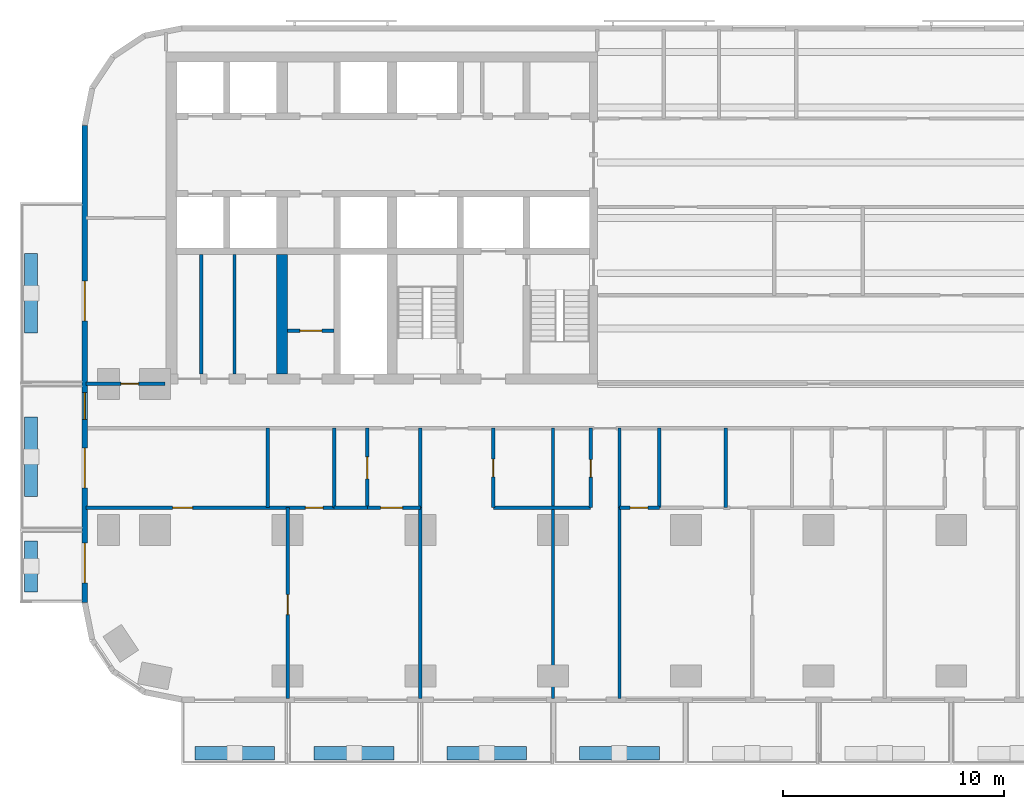
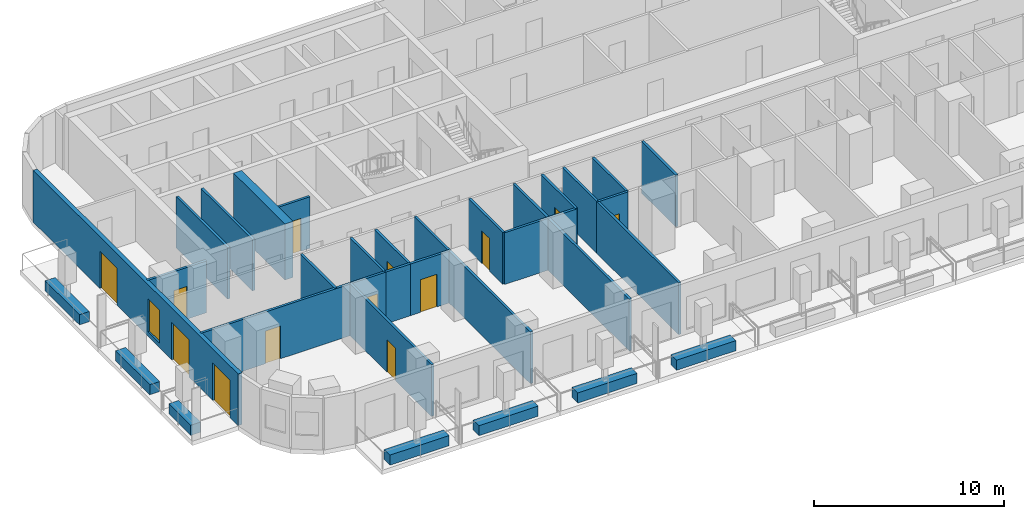
# One storey, part 2 of 15: 31 walls, 13 doors, 1 window, 14 openings.
"""IFC4 building model written with IfcOpenShell, lengths in metres."""

from ifc_helpers import new_model, si_unit, direction, frame, frame_2d, origin, place, context, subcontext, project, spatial, rectangle, extrude, material, layer, layer_set, type_object, element, fill, save


model = new_model("IFC4")

# Units and contexts
model_context = context("Model", 3, precision=1e-05, world=origin(), true_north=direction((0.0, 1.0)))
body_context = subcontext(model_context, "Body", "Model", "MODEL_VIEW")
ifc_project = project(units=[si_unit("LENGTHUNIT", "METRE"), si_unit("AREAUNIT", "SQUARE_METRE"), si_unit("VOLUMEUNIT", "CUBIC_METRE"), si_unit("PLANEANGLEUNIT", "RADIAN"), si_unit("MASSUNIT", "GRAM", prefix="KILO")], contexts=[model_context])

# Site, building, storey
site_placement = place(None, origin())
site = spatial("IfcSite", under=ifc_project, at=site_placement, CompositionType="ELEMENT")
building_placement = place(site_placement, origin())
building = spatial("IfcBuilding", under=site, at=building_placement, Name="Torana Hotel and Residences", CompositionType="ELEMENT")
storey_placement = place(building_placement, frame((0.0, 0.0, 88.800048828125)))
storey = spatial("IfcBuildingStorey", under=building, at=storey_placement, Name="L22", CompositionType="ELEMENT", Elevation=88.800048828125)

# Wall
ifc_material_1 = material(Name="Concrete C80/95", Category="concrete")
ifc_layer_1 = layer(ifc_material_1, 0.5)
ifc_layer_set_1 = layer_set([ifc_layer_1], Name="CORE WALL 500 C80/95")
wall_type_1 = type_object("IfcWallType", Name="CORE WALL 500 C80/95", PredefinedType="SHEAR", material=ifc_layer_set_1)
wall_1_placement = place(storey_placement, frame((-24.25, -14.550048828125, 0.0), z_axis=(0.0, 0.0, 1.0), x_axis=(0.0, 1.0, 0.0)))
element("IfcWall", 1, at=wall_1_placement, inside=storey, type_object=wall_type_1, Name="Core wall W ml-band", PredefinedType="SHEAR", context=body_context, shape_type="SweptSolid", body=[
    extrude(rectangle(XDim=5.400146484375, YDim=0.5, at=frame_2d((2.7001953125, 0.0))), origin(), (0.0, 0.0, 1.0), 3.599853515625),
])

# Wall, openings, doors, window
ifc_material_2 = material(Name="Black aluminium composite panel", Category="aluminium")
ifc_layer_2 = layer(ifc_material_2, 0.00390625, Name="Cladding", Category="cladding")
ifc_material_3 = material(Name="Ventilated air cavity")
ifc_layer_3 = layer(ifc_material_3, 0.0400390625, Name="Ventilated cavity", Category="cavity")
ifc_material_4 = material(Name="Mineral wool insulation")
ifc_layer_4 = layer(ifc_material_4, 0.090087890625, Name="Insulation", Category="insulation")
ifc_material_5 = material(Name="Steel S280GD", Category="steel")
ifc_layer_5 = layer(ifc_material_5, 0.092041015625, Name="Steel stud frame", Category="structure")
ifc_material_6 = material(Name="Fire rated plasterboard")
ifc_layer_6 = layer(ifc_material_6, 0.011962890625, Name="Inner board", Category="finish")
ifc_layer_7 = layer(ifc_material_6, 0.011962890625, Name="Second board", Category="finish")
ifc_layer_set_2 = layer_set([ifc_layer_2, ifc_layer_3, ifc_layer_4, ifc_layer_5, ifc_layer_6, ifc_layer_7], Name="EW1 EXTERNAL WALL BLACK METAL CLAD 250")
wall_type_2 = type_object("IfcWallType", Name="EW1 EXTERNAL WALL BLACK METAL CLAD 250", PredefinedType="SOLIDWALL", material=ifc_layer_set_2)
wall_2_placement = place(storey_placement, frame((-33.175048828125, -3.32470703125, 0.0), z_axis=(0.0, 0.0, 1.0), x_axis=(0.0, -1.0, 0.0)))
wall_2 = element("IfcWall", 2, at=wall_2_placement, inside=storey, type_object=wall_type_2, Name="External wall L22 e0.9", PredefinedType="SOLIDWALL", context=body_context, shape_type="SweptSolid", body=[
    extrude(rectangle(XDim=21.55078125, YDim=0.25, at=frame_2d((10.775390625, 0.0))), origin(), (0.0, 0.0, 1.0), 3.320068359375),
])
opening_1_placement = place(wall_2_placement, frame((7.025390625, 0.0, 0.0)))
opening_1 = element("IfcOpeningElement", 3, at=opening_1_placement, cuts=wall_2, Name="Opening L22-E14", PredefinedType="OPENING", context=body_context, shape_type="SweptSolid", body=[
    extrude(rectangle(XDim=1.800048828125, YDim=2.39990234375, at=frame_2d((0.89990234375, 1.199951171875))), frame((0.0, 0.135009765625, 0.0), z_axis=(0.0, -1.0, 0.0), x_axis=(1.0, 0.0, 0.0)), (0.0, 0.0, 1.0), 0.27001953125),
])
opening_2_placement = place(wall_2_placement, frame((12.075439453125, 0.0, 0.300048828125)))
opening_2 = element("IfcOpeningElement", 4, at=opening_2_placement, cuts=wall_2, Name="Opening W7", PredefinedType="OPENING", context=body_context, shape_type="SweptSolid", body=[
    extrude(rectangle(XDim=1.199951171875, YDim=2.10009765625, at=frame_2d((0.60009765625, 1.050048828125))), frame((0.0, 0.135009765625, 0.0), z_axis=(0.0, -1.0, 0.0), x_axis=(1.0, 0.0, 0.0)), (0.0, 0.0, 1.0), 0.27001953125),
])
opening_3_placement = place(wall_2_placement, frame((14.575439453125, 0.0, 0.0)))
opening_3 = element("IfcOpeningElement", 5, at=opening_3_placement, cuts=wall_2, Name="Opening L22-E15", PredefinedType="OPENING", context=body_context, shape_type="SweptSolid", body=[
    extrude(rectangle(XDim=1.800048828125, YDim=2.39990234375, at=frame_2d((0.89990234375, 1.199951171875))), frame((0.0, 0.135009765625, 0.0), z_axis=(0.0, -1.0, 0.0), x_axis=(1.0, 0.0, 0.0)), (0.0, 0.0, 1.0), 0.27001953125),
])
opening_4_placement = place(wall_2_placement, frame((18.87548828125, 0.0, 0.0)))
opening_4 = element("IfcOpeningElement", 6, at=opening_4_placement, cuts=wall_2, Name="Opening L22-E16", PredefinedType="OPENING", context=body_context, shape_type="SweptSolid", body=[
    extrude(rectangle(XDim=1.800048828125, YDim=2.39990234375, at=frame_2d((0.89990234375, 1.199951171875))), frame((0.0, 0.135009765625, 0.0), z_axis=(0.0, -1.0, 0.0), x_axis=(1.0, 0.0, 0.0)), (0.0, 0.0, 1.0), 0.27001953125),
])
ifc_material_7 = material(Name="Dark glass in black aluminium frame", Category="aluminium")
door_type_1 = type_object("IfcDoorType", Name="DB1 BALCONY DOOR 1800x2400", OperationType="DOUBLE_DOOR_SINGLE_SWING", PredefinedType="DOOR", material=ifc_material_7)
door_1_placement = place(opening_1_placement, origin())
door_1 = element("IfcDoor", 7, at=door_1_placement, inside=storey, type_object=door_type_1, Name="Balcony door L22", OperationType="DOUBLE_DOOR_SINGLE_SWING", OverallHeight=2.39990234375, OverallWidth=1.800048828125, PredefinedType="DOOR", context=body_context, shape_type="SweptSolid", body=[
    extrude(rectangle(XDim=1.800048828125, YDim=2.39990234375, at=frame_2d((0.89990234375, 1.199951171875))), frame((0.0, 0.02490234375, 0.0), z_axis=(0.0, -1.0, 0.0), x_axis=(1.0, 0.0, 0.0)), (0.0, 0.0, 1.0), 0.050048828125),
])
fill(opening_1, door_1)
door_2_placement = place(opening_3_placement, origin())
door_2 = element("IfcDoor", 8, at=door_2_placement, inside=storey, type_object=door_type_1, Name="Balcony door L22", OperationType="DOUBLE_DOOR_SINGLE_SWING", OverallHeight=2.39990234375, OverallWidth=1.800048828125, PredefinedType="DOOR", context=body_context, shape_type="SweptSolid", body=[
    extrude(rectangle(XDim=1.800048828125, YDim=2.39990234375, at=frame_2d((0.89990234375, 1.199951171875))), frame((0.0, 0.02490234375, 0.0), z_axis=(0.0, -1.0, 0.0), x_axis=(1.0, 0.0, 0.0)), (0.0, 0.0, 1.0), 0.050048828125),
])
fill(opening_3, door_2)
door_3_placement = place(opening_4_placement, frame((0.89990234375, 0.0, 0.0), z_axis=(0.0, 0.0, 1.0), x_axis=(-1.0, 0.0, 0.0)))
door_3 = element("IfcDoor", 9, at=door_3_placement, inside=storey, type_object=door_type_1, Name="Balcony door L22", OperationType="DOUBLE_DOOR_SINGLE_SWING", OverallHeight=2.39990234375, OverallWidth=1.800048828125, PredefinedType="DOOR", context=body_context, shape_type="SweptSolid", body=[
    extrude(rectangle(XDim=1.800048828125, YDim=2.39990234375, at=frame_2d((0.0, 1.199951171875))), frame((0.0, -0.02490234375, 0.0), z_axis=(0.0, 1.0, 0.0), x_axis=(-1.0, 0.0, 0.0)), (0.0, 0.0, 1.0), 0.050048828125),
])
fill(opening_4, door_3)
ifc_material_8 = material(Name="Dark glass in black aluminium frame", Category="aluminium")
window_type = type_object("IfcWindowType", Name="W7 HOTEL CORRIDOR WINDOW 1200x2100", PartitioningType="SINGLE_PANEL", PredefinedType="WINDOW", material=ifc_material_8)
window_placement = place(opening_2_placement, origin())
window = element("IfcWindow", 10, at=window_placement, inside=storey, type_object=window_type, Name="Window L22", OverallHeight=2.10009765625, OverallWidth=1.199951171875, PartitioningType="SINGLE_PANEL", PredefinedType="WINDOW", context=body_context, shape_type="SweptSolid", body=[
    extrude(rectangle(XDim=1.199951171875, YDim=2.10009765625, at=frame_2d((0.60009765625, 1.050048828125))), frame((0.0, 0.030029296875, 0.0), z_axis=(0.0, -1.0, 0.0), x_axis=(1.0, 0.0, 0.0)), (0.0, 0.0, 1.0), 0.06005859375),
])
fill(opening_2, window)

# Wall, opening, door
ifc_material_9 = material(Name="Gypsum plaster")
ifc_layer_8 = layer(ifc_material_9, 0.014892578125, Name="Plaster", Category="finish")
ifc_material_10 = material(Name="Concrete blockwork", Category="masonry")
ifc_layer_9 = layer(ifc_material_10, 0.1201171875, Name="Blockwork", Category="structure")
ifc_layer_10 = layer(ifc_material_9, 0.014892578125, Name="Plaster", Category="finish")
ifc_layer_set_3 = layer_set([ifc_layer_8, ifc_layer_9, ifc_layer_10], Name="FIRE PARTITION 150 BLOCKWORK")
wall_type_3 = type_object("IfcWallType", Name="FIRE PARTITION 150 BLOCKWORK", PredefinedType="PARTITIONING", material=ifc_layer_set_3)
wall_3_placement = place(storey_placement, frame((-24.0, -12.60009765625, 0.0), z_axis=(0.0, 0.0, 1.0), x_axis=(1.0, 0.0, 0.0)))
wall_3 = element("IfcWall", 11, at=wall_3_placement, inside=storey, type_object=wall_type_3, Name="Core partition L22", PredefinedType="PARTITIONING", context=body_context, shape_type="SweptSolid", body=[
    extrude(rectangle(XDim=2.10009765625, YDim=0.14990234375, at=frame_2d((1.050048828125, 0.0))), origin(), (0.0, 0.0, 1.0), 3.300048828125),
])
opening_5_placement = place(wall_3_placement, frame((0.550048828125, 0.0, 0.0)))
opening_5 = element("IfcOpeningElement", 12, at=opening_5_placement, cuts=wall_3, Name="Opening L22-37", PredefinedType="OPENING", context=body_context, shape_type="SweptSolid", body=[
    extrude(rectangle(XDim=1.0, YDim=2.10009765625, at=frame_2d((0.5, 1.050048828125))), frame((0.0, 0.0849609375, 0.0), z_axis=(0.0, -1.0, 0.0), x_axis=(1.0, 0.0, 0.0)), (0.0, 0.0, 1.0), 0.169921875),
])
ifc_material_11 = material(Name="Steel S235", Category="steel")
door_type_2 = type_object("IfcDoorType", Name="CORE ROOM FIRE DOOR D14 1000x2100", OperationType="SINGLE_SWING_LEFT", PredefinedType="DOOR", material=ifc_material_11)
door_4_placement = place(opening_5_placement, origin())
door_4 = element("IfcDoor", 13, at=door_4_placement, inside=storey, type_object=door_type_2, Name="Plant room door L22", OperationType="SINGLE_SWING_RIGHT", OverallHeight=2.10009765625, OverallWidth=1.0, PredefinedType="DOOR", context=body_context, shape_type="SweptSolid", body=[
    extrude(rectangle(XDim=1.0, YDim=2.10009765625, at=frame_2d((0.5, 1.050048828125))), frame((0.0, 0.02490234375, 0.0), z_axis=(0.0, -1.0, 0.0), x_axis=(1.0, 0.0, 0.0)), (0.0, 0.0, 1.0), 0.050048828125),
])
fill(opening_5, door_4)

# Walls
for number, where, z_axis, x_axis, name in (
    (14, (-26.39990234375, -14.550048828125, 0.0), (0.0, 0.0, 1.0), (0.0, 1.0, 0.0), "Core partition L22"),
    (15, (-27.89990234375, -14.550048828125, 0.0), (0.0, 0.0, 1.0), (0.0, 1.0, 0.0), "Core partition L22"),
):
    element("IfcWall", number, at=place(storey_placement, frame(where, z_axis=z_axis, x_axis=x_axis)), inside=storey, type_object=wall_type_3, Name=name, PredefinedType="PARTITIONING", context=body_context, shape_type="SweptSolid", body=[
        extrude(rectangle(XDim=5.400146484375, YDim=0.14990234375, at=frame_2d((2.7001953125, 0.0))), origin(), (0.0, 0.0, 1.0), 3.300048828125),
    ])
wall_4_placement = place(storey_placement, frame((-18.0, -20.60009765625, 0.0), z_axis=(0.0, 0.0, 1.0), x_axis=(0.0, 1.0, 0.0)))
element("IfcWall", 16, at=wall_4_placement, inside=storey, type_object=wall_type_3, Name="Partition L22", PredefinedType="PARTITIONING", context=body_context, shape_type="SweptSolid", body=[
    extrude(rectangle(XDim=3.60009765625, YDim=0.14990234375, at=frame_2d((1.800048828125, 0.0))), origin(), (0.0, 0.0, 1.0), 3.320068359375),
])

# Wall, opening, door
wall_5_placement = place(storey_placement, frame((-20.39990234375, -20.60009765625, 0.0), z_axis=(0.0, 0.0, 1.0), x_axis=(0.0, 1.0, 0.0)))
wall_5 = element("IfcWall", 17, at=wall_5_placement, inside=storey, type_object=wall_type_3, Name="Partition L22", PredefinedType="PARTITIONING", context=body_context, shape_type="SweptSolid", body=[
    extrude(rectangle(XDim=3.60009765625, YDim=0.14990234375, at=frame_2d((1.800048828125, 0.0))), origin(), (0.0, 0.0, 1.0), 3.320068359375),
])
opening_6_placement = place(wall_5_placement, frame((1.300048828125, 0.0, 0.0)))
opening_6 = element("IfcOpeningElement", 18, at=opening_6_placement, cuts=wall_5, Name="Opening L22-74", PredefinedType="OPENING", context=body_context, shape_type="SweptSolid", body=[
    extrude(rectangle(XDim=1.0, YDim=2.10009765625, at=frame_2d((0.5, 1.050048828125))), frame((0.0, 0.0849609375, 0.0), z_axis=(0.0, -1.0, 0.0), x_axis=(1.0, 0.0, 0.0)), (0.0, 0.0, 1.0), 0.169921875),
])
ifc_material_12 = material(Name="Steel S235", Category="steel")
door_type_3 = type_object("IfcDoorType", Name="ENTRY FIRE DOOR D6 1000x2100", OperationType="SINGLE_SWING_LEFT", PredefinedType="DOOR", material=ifc_material_12)
door_5_placement = place(opening_6_placement, origin())
door_5 = element("IfcDoor", 19, at=door_5_placement, inside=storey, type_object=door_type_3, Name="Door L22", OperationType="SINGLE_SWING_RIGHT", OverallHeight=2.10009765625, OverallWidth=1.0, PredefinedType="DOOR", context=body_context, shape_type="SweptSolid", body=[
    extrude(rectangle(XDim=1.0, YDim=2.10009765625, at=frame_2d((0.5, 1.050048828125))), frame((0.0, 0.02490234375, 0.0), z_axis=(0.0, -1.0, 0.0), x_axis=(1.0, 0.0, 0.0)), (0.0, 0.0, 1.0), 0.050048828125),
])
fill(opening_6, door_5)

wall_6_placement = place(storey_placement, frame((-20.39990234375, -20.60009765625, 0.0), z_axis=(0.0, 0.0, 1.0), x_axis=(1.0, 0.0, 0.0)))
wall_6 = element("IfcWall", 20, at=wall_6_placement, inside=storey, type_object=wall_type_3, Name="Partition L22", PredefinedType="PARTITIONING", context=body_context, shape_type="SweptSolid", body=[
    extrude(rectangle(XDim=2.39990234375, YDim=0.14990234375, at=frame_2d((1.199951171875, 0.0))), origin(), (0.0, 0.0, 1.0), 3.320068359375),
])
opening_7_placement = place(wall_6_placement, frame((0.60009765625, 0.0, 0.0)))
opening_7 = element("IfcOpeningElement", 21, at=opening_7_placement, cuts=wall_6, Name="Opening L22-75", PredefinedType="OPENING", context=body_context, shape_type="SweptSolid", body=[
    extrude(rectangle(XDim=1.0, YDim=2.10009765625, at=frame_2d((0.5, 1.050048828125))), frame((0.0, 0.0849609375, 0.0), z_axis=(0.0, -1.0, 0.0), x_axis=(1.0, 0.0, 0.0)), (0.0, 0.0, 1.0), 0.169921875),
])
door_6_placement = place(opening_7_placement, frame((0.5, 0.0, 0.0), z_axis=(0.0, 0.0, 1.0), x_axis=(-1.0, 0.0, 0.0)))
door_6 = element("IfcDoor", 22, at=door_6_placement, inside=storey, type_object=door_type_3, Name="Door L22", OperationType="SINGLE_SWING_RIGHT", OverallHeight=2.10009765625, OverallWidth=1.0, PredefinedType="DOOR", context=body_context, shape_type="SweptSolid", body=[
    extrude(rectangle(XDim=1.0, YDim=2.10009765625, at=frame_2d((0.0, 1.050048828125))), frame((0.0, -0.02490234375, 0.0), z_axis=(0.0, 1.0, 0.0), x_axis=(-1.0, 0.0, 0.0)), (0.0, 0.0, 1.0), 0.050048828125),
])
fill(opening_7, door_6)

wall_7_placement = place(storey_placement, frame((-33.1201171875, -15.0, 0.0), z_axis=(0.0, 0.0, 1.0), x_axis=(1.0, 0.0, 0.0)))
wall_7 = element("IfcWall", 23, at=wall_7_placement, inside=storey, type_object=wall_type_3, Name="Partition L22", PredefinedType="PARTITIONING", context=body_context, shape_type="SweptSolid", body=[
    extrude(rectangle(XDim=3.570068359375, YDim=0.14990234375, at=frame_2d((1.78515625, 0.0))), origin(), (0.0, 0.0, 1.0), 3.320068359375),
])
opening_8_placement = place(wall_7_placement, frame((1.580078125, 0.0, 0.0)))
opening_8 = element("IfcOpeningElement", 24, at=opening_8_placement, cuts=wall_7, Name="Opening L22-48", PredefinedType="OPENING", context=body_context, shape_type="SweptSolid", body=[
    extrude(rectangle(XDim=0.800048828125, YDim=2.10009765625, at=frame_2d((0.39990234375, 1.050048828125))), frame((0.0, 0.0849609375, 0.0), z_axis=(0.0, -1.0, 0.0), x_axis=(1.0, 0.0, 0.0)), (0.0, 0.0, 1.0), 0.169921875),
])
ifc_material_13 = material(Name="Steel S235", Category="steel")
door_type_4 = type_object("IfcDoorType", Name="STORE FIRE DOOR D16 800x2100", OperationType="SINGLE_SWING_LEFT", PredefinedType="DOOR", material=ifc_material_13)
door_7_placement = place(opening_8_placement, origin())
door_7 = element("IfcDoor", 25, at=door_7_placement, inside=storey, type_object=door_type_4, Name="Door L22", OperationType="SINGLE_SWING_RIGHT", OverallHeight=2.10009765625, OverallWidth=0.800048828125, PredefinedType="DOOR", context=body_context, shape_type="SweptSolid", body=[
    extrude(rectangle(XDim=0.800048828125, YDim=2.10009765625, at=frame_2d((0.39990234375, 1.050048828125))), frame((0.0, 0.02490234375, 0.0), z_axis=(0.0, -1.0, 0.0), x_axis=(1.0, 0.0, 0.0)), (0.0, 0.0, 1.0), 0.050048828125),
])
fill(opening_8, door_7)

# Walls
ifc_material_14 = material(Name="Gypsum plasterboard")
ifc_layer_11 = layer(ifc_material_14, 0.012451171875, Name="Plasterboard", Category="finish")
ifc_layer_12 = layer(ifc_material_14, 0.012451171875, Name="Plasterboard", Category="finish")
ifc_layer_13 = layer(ifc_material_5, 0.10009765625, Name="Steel studs with mineral wool", Category="insulation")
ifc_layer_14 = layer(ifc_material_14, 0.012451171875, Name="Plasterboard", Category="finish")
ifc_layer_15 = layer(ifc_material_14, 0.012451171875, Name="Plasterboard", Category="finish")
ifc_layer_set_4 = layer_set([ifc_layer_11, ifc_layer_12, ifc_layer_13, ifc_layer_14, ifc_layer_15], Name="PARTITION 150 PLASTERBOARD")
wall_type_4 = type_object("IfcWallType", Name="PARTITION 150 PLASTERBOARD", PredefinedType="PARTITIONING", material=ifc_layer_set_4)
wall_8_placement = place(storey_placement, frame((-4.199951171875, -20.60009765625, 0.0), z_axis=(0.0, 0.0, 1.0), x_axis=(0.0, 1.0, 0.0)))
element("IfcWall", 26, at=wall_8_placement, inside=storey, type_object=wall_type_4, Name="Partition L22", PredefinedType="PARTITIONING", context=body_context, shape_type="SweptSolid", body=[
    extrude(rectangle(XDim=3.60009765625, YDim=0.14990234375, at=frame_2d((1.800048828125, 0.0))), origin(), (0.0, 0.0, 1.0), 3.320068359375),
])
wall_9_placement = place(storey_placement, frame((-9.0, -29.219970703125, 0.0), z_axis=(0.0, 0.0, 1.0), x_axis=(0.0, 1.0, 0.0)))
element("IfcWall", 27, at=wall_9_placement, inside=storey, type_object=wall_type_4, Name="Partition L22", PredefinedType="PARTITIONING", context=body_context, shape_type="SweptSolid", body=[
    extrude(rectangle(XDim=8.619873046875, YDim=0.14990234375, at=frame_2d((4.31005859375, 0.0))), origin(), (0.0, 0.0, 1.0), 3.320068359375),
])

# Wall, opening, door
wall_10_placement = place(storey_placement, frame((-10.300048828125, -20.60009765625, 0.0), z_axis=(0.0, 0.0, 1.0), x_axis=(0.0, 1.0, 0.0)))
wall_10 = element("IfcWall", 28, at=wall_10_placement, inside=storey, type_object=wall_type_4, Name="Partition L22", PredefinedType="PARTITIONING", context=body_context, shape_type="SweptSolid", body=[
    extrude(rectangle(XDim=3.60009765625, YDim=0.14990234375, at=frame_2d((1.800048828125, 0.0))), origin(), (0.0, 0.0, 1.0), 3.320068359375),
])
opening_9_placement = place(wall_10_placement, frame((1.3798828125, 0.0, 0.0)))
opening_9 = element("IfcOpeningElement", 29, at=opening_9_placement, cuts=wall_10, Name="Opening L22-59", PredefinedType="OPENING", context=body_context, shape_type="SweptSolid", body=[
    extrude(rectangle(XDim=0.800048828125, YDim=2.10009765625, at=frame_2d((0.39990234375, 1.050048828125))), frame((0.0, 0.0849609375, 0.0), z_axis=(0.0, -1.0, 0.0), x_axis=(1.0, 0.0, 0.0)), (0.0, 0.0, 1.0), 0.169921875),
])
ifc_material_15 = material(Name="Timber door, painted", Category="wood")
door_type_5 = type_object("IfcDoorType", Name="BATH DOOR D13 800x2100", OperationType="SINGLE_SWING_LEFT", PredefinedType="DOOR", material=ifc_material_15)
door_8_placement = place(opening_9_placement, origin())
door_8 = element("IfcDoor", 30, at=door_8_placement, inside=storey, type_object=door_type_5, Name="Door L22", OperationType="SINGLE_SWING_RIGHT", OverallHeight=2.10009765625, OverallWidth=0.800048828125, PredefinedType="DOOR", context=body_context, shape_type="SweptSolid", body=[
    extrude(rectangle(XDim=0.800048828125, YDim=2.10009765625, at=frame_2d((0.39990234375, 1.050048828125))), frame((0.0, 0.02490234375, 0.0), z_axis=(0.0, -1.0, 0.0), x_axis=(1.0, 0.0, 0.0)), (0.0, 0.0, 1.0), 0.050048828125),
])
fill(opening_9, door_8)

# Wall
wall_11_placement = place(storey_placement, frame((-12.0, -29.219970703125, 0.0), z_axis=(0.0, 0.0, 1.0), x_axis=(0.0, 1.0, 0.0)))
element("IfcWall", 31, at=wall_11_placement, inside=storey, type_object=wall_type_4, Name="Partition L22", PredefinedType="PARTITIONING", context=body_context, shape_type="SweptSolid", body=[
    extrude(rectangle(XDim=12.219970703125, YDim=0.14990234375, at=frame_2d((6.10986328125, 0.0))), origin(), (0.0, 0.0, 1.0), 3.320068359375),
])

# Wall, opening, door
wall_12_placement = place(storey_placement, frame((-14.699951171875, -20.60009765625, 0.0), z_axis=(0.0, 0.0, 1.0), x_axis=(0.0, 1.0, 0.0)))
wall_12 = element("IfcWall", 32, at=wall_12_placement, inside=storey, type_object=wall_type_4, Name="Partition L22", PredefinedType="PARTITIONING", context=body_context, shape_type="SweptSolid", body=[
    extrude(rectangle(XDim=3.60009765625, YDim=0.14990234375, at=frame_2d((1.800048828125, 0.0))), origin(), (0.0, 0.0, 1.0), 3.320068359375),
])
opening_10_placement = place(wall_12_placement, frame((1.39990234375, 0.0, 0.0)))
opening_10 = element("IfcOpeningElement", 33, at=opening_10_placement, cuts=wall_12, Name="Opening L22-58", PredefinedType="OPENING", context=body_context, shape_type="SweptSolid", body=[
    extrude(rectangle(XDim=0.800048828125, YDim=2.10009765625, at=frame_2d((0.39990234375, 1.050048828125))), frame((0.0, 0.0849609375, 0.0), z_axis=(0.0, -1.0, 0.0), x_axis=(1.0, 0.0, 0.0)), (0.0, 0.0, 1.0), 0.169921875),
])
door_9_placement = place(opening_10_placement, origin())
door_9 = element("IfcDoor", 34, at=door_9_placement, inside=storey, type_object=door_type_5, Name="Door L22", OperationType="SINGLE_SWING_LEFT", OverallHeight=2.10009765625, OverallWidth=0.800048828125, PredefinedType="DOOR", context=body_context, shape_type="SweptSolid", body=[
    extrude(rectangle(XDim=0.800048828125, YDim=2.10009765625, at=frame_2d((0.39990234375, 1.050048828125))), frame((0.0, 0.02490234375, 0.0), z_axis=(0.0, -1.0, 0.0), x_axis=(1.0, 0.0, 0.0)), (0.0, 0.0, 1.0), 0.050048828125),
])
fill(opening_10, door_9)

# Wall
wall_13_placement = place(storey_placement, frame((-18.0, -29.219970703125, 0.0), z_axis=(0.0, 0.0, 1.0), x_axis=(0.0, 1.0, 0.0)))
element("IfcWall", 35, at=wall_13_placement, inside=storey, type_object=wall_type_4, Name="Partition L22", PredefinedType="PARTITIONING", context=body_context, shape_type="SweptSolid", body=[
    extrude(rectangle(XDim=8.619873046875, YDim=0.14990234375, at=frame_2d((4.31005859375, 0.0))), origin(), (0.0, 0.0, 1.0), 3.320068359375),
])

# Wall, opening, door
wall_14_placement = place(storey_placement, frame((-24.0, -29.219970703125, 0.0), z_axis=(0.0, 0.0, 1.0), x_axis=(0.0, 1.0, 0.0)))
wall_14 = element("IfcWall", 36, at=wall_14_placement, inside=storey, type_object=wall_type_4, Name="Partition L22", PredefinedType="PARTITIONING", context=body_context, shape_type="SweptSolid", body=[
    extrude(rectangle(XDim=8.619873046875, YDim=0.14990234375, at=frame_2d((4.31005859375, 0.0))), origin(), (0.0, 0.0, 1.0), 3.320068359375),
])
opening_11_placement = place(wall_14_placement, frame((3.7900390625, 0.0, 0.0)))
opening_11 = element("IfcOpeningElement", 37, at=opening_11_placement, cuts=wall_14, Name="Opening L22-78", PredefinedType="OPENING", context=body_context, shape_type="SweptSolid", body=[
    extrude(rectangle(XDim=0.89990234375, YDim=2.10009765625, at=frame_2d((0.449951171875, 1.050048828125))), frame((0.0, 0.0849609375, 0.0), z_axis=(0.0, -1.0, 0.0), x_axis=(1.0, 0.0, 0.0)), (0.0, 0.0, 1.0), 0.169921875),
])
ifc_material_16 = material(Name="Timber door, oiled ash", Category="wood")
door_type_6 = type_object("IfcDoorType", Name="ROOM DOOR D7 900x2100", OperationType="SINGLE_SWING_LEFT", PredefinedType="DOOR", material=ifc_material_16)
door_10_placement = place(opening_11_placement, origin())
door_10 = element("IfcDoor", 38, at=door_10_placement, inside=storey, type_object=door_type_6, Name="Door L22", OperationType="SINGLE_SWING_RIGHT", OverallHeight=2.10009765625, OverallWidth=0.89990234375, PredefinedType="DOOR", context=body_context, shape_type="SweptSolid", body=[
    extrude(rectangle(XDim=0.89990234375, YDim=2.10009765625, at=frame_2d((0.449951171875, 1.050048828125))), frame((0.0, 0.02490234375, 0.0), z_axis=(0.0, -1.0, 0.0), x_axis=(1.0, 0.0, 0.0)), (0.0, 0.0, 1.0), 0.050048828125),
])
fill(opening_11, door_10)

# Wall
wall_15_placement = place(storey_placement, frame((-24.89990234375, -20.60009765625, 0.0), z_axis=(0.0, 0.0, 1.0), x_axis=(0.0, 1.0, 0.0)))
element("IfcWall", 39, at=wall_15_placement, inside=storey, type_object=wall_type_4, Name="Partition L22", PredefinedType="PARTITIONING", context=body_context, shape_type="SweptSolid", body=[
    extrude(rectangle(XDim=3.60009765625, YDim=0.14990234375, at=frame_2d((1.800048828125, 0.0))), origin(), (0.0, 0.0, 1.0), 3.320068359375),
])

# Wall, openings, doors
wall_16_placement = place(storey_placement, frame((-33.1201171875, -20.60009765625, 0.0), z_axis=(0.0, 0.0, 1.0), x_axis=(1.0, 0.0, 0.0)))
wall_16 = element("IfcWall", 40, at=wall_16_placement, inside=storey, type_object=wall_type_4, Name="Partition L22", PredefinedType="PARTITIONING", context=body_context, shape_type="SweptSolid", body=[
    extrude(rectangle(XDim=11.22021484375, YDim=0.14990234375, at=frame_2d((5.610107421875, 0.0))), origin(), (0.0, 0.0, 1.0), 3.320068359375),
])
opening_12_placement = place(wall_16_placement, frame((9.919921875, 0.0, 0.0)))
opening_12 = element("IfcOpeningElement", 41, at=opening_12_placement, cuts=wall_16, Name="Opening L22-76", PredefinedType="OPENING", context=body_context, shape_type="SweptSolid", body=[
    extrude(rectangle(XDim=0.800048828125, YDim=2.10009765625, at=frame_2d((0.39990234375, 1.050048828125))), frame((0.0, 0.0849609375, 0.0), z_axis=(0.0, -1.0, 0.0), x_axis=(1.0, 0.0, 0.0)), (0.0, 0.0, 1.0), 0.169921875),
])
opening_13_placement = place(wall_16_placement, frame((3.919921875, 0.0, 0.0)))
opening_13 = element("IfcOpeningElement", 42, at=opening_13_placement, cuts=wall_16, Name="Opening L22-77", PredefinedType="OPENING", context=body_context, shape_type="SweptSolid", body=[
    extrude(rectangle(XDim=0.89990234375, YDim=2.10009765625, at=frame_2d((0.449951171875, 1.050048828125))), frame((0.0, 0.0849609375, 0.0), z_axis=(0.0, -1.0, 0.0), x_axis=(1.0, 0.0, 0.0)), (0.0, 0.0, 1.0), 0.169921875),
])
door_11_placement = place(opening_12_placement, origin())
door_11 = element("IfcDoor", 43, at=door_11_placement, inside=storey, type_object=door_type_5, Name="Door L22", OperationType="SINGLE_SWING_LEFT", OverallHeight=2.10009765625, OverallWidth=0.800048828125, PredefinedType="DOOR", context=body_context, shape_type="SweptSolid", body=[
    extrude(rectangle(XDim=0.800048828125, YDim=2.10009765625, at=frame_2d((0.39990234375, 1.050048828125))), frame((0.0, 0.02490234375, 0.0), z_axis=(0.0, -1.0, 0.0), x_axis=(1.0, 0.0, 0.0)), (0.0, 0.0, 1.0), 0.050048828125),
])
fill(opening_12, door_11)
door_12_placement = place(opening_13_placement, origin())
door_12 = element("IfcDoor", 44, at=door_12_placement, inside=storey, type_object=door_type_6, Name="Door L22", OperationType="SINGLE_SWING_RIGHT", OverallHeight=2.10009765625, OverallWidth=0.89990234375, PredefinedType="DOOR", context=body_context, shape_type="SweptSolid", body=[
    extrude(rectangle(XDim=0.89990234375, YDim=2.10009765625, at=frame_2d((0.449951171875, 1.050048828125))), frame((0.0, 0.02490234375, 0.0), z_axis=(0.0, -1.0, 0.0), x_axis=(1.0, 0.0, 0.0)), (0.0, 0.0, 1.0), 0.050048828125),
])
fill(opening_13, door_12)

# Walls
wall_17_placement = place(storey_placement, frame((-14.699951171875, -20.60009765625, 0.0), z_axis=(0.0, 0.0, 1.0), x_axis=(1.0, 0.0, 0.0)))
element("IfcWall", 45, at=wall_17_placement, inside=storey, type_object=wall_type_4, Name="Partition L22", PredefinedType="PARTITIONING", context=body_context, shape_type="SweptSolid", body=[
    extrude(rectangle(XDim=4.39990234375, YDim=0.14990234375, at=frame_2d((2.199951171875, 0.0))), origin(), (0.0, 0.0, 1.0), 3.320068359375),
])
ifc_material_17 = material(Name="Concrete C40/50 precast", Category="concrete")
ifc_layer_16 = layer(ifc_material_17, 0.10009765625, Name="Planter shell", Category="structure")
ifc_material_18 = material(Name="Root resistant membrane")
ifc_layer_17 = layer(ifc_material_18, 0.00390625, Name="Waterproofing membrane", Category="membrane")
ifc_material_19 = material(Name="Drainage board with filter fleece")
ifc_layer_18 = layer(ifc_material_19, 0.02001953125, Name="Drainage board", Category="drainage")
ifc_material_20 = material(Name="Growing medium")
ifc_layer_19 = layer(ifc_material_20, 0.47607421875, Name="Planting substrate", Category="soil")
ifc_layer_set_5 = layer_set([ifc_layer_16, ifc_layer_17, ifc_layer_18, ifc_layer_19], Name="PL1 BALCONY PLANTER 600")
wall_type_5 = type_object("IfcWallType", Name="PL1 BALCONY PLANTER 600", PredefinedType="USERDEFINED", material=ifc_layer_set_5)
wall_18_placement = place(storey_placement, frame((-24.60009765625, -31.699951171875, 0.0), z_axis=(0.0, 0.0, 1.0), x_axis=(-1.0, 0.0, 0.0)))
element("IfcWall", 46, at=wall_18_placement, inside=storey, type_object=wall_type_5, Name="Planter 01", ObjectType="PLANTER", PredefinedType="USERDEFINED", context=body_context, shape_type="SweptSolid", body=[
    extrude(rectangle(XDim=3.599853515625, YDim=0.60009765625, at=frame_2d((1.7998046875, 0.0))), origin(), (0.0, 0.0, 1.0), 0.64990234375),
])
for number, where, z_axis, x_axis, name in (
    (47, (-19.199951171875, -31.699951171875, 0.0), (0.0, 0.0, 1.0), (-1.0, 0.0, 0.0), "Planter 02"),
    (48, (-13.199951171875, -31.699951171875, 0.0), (0.0, 0.0, 1.0), (-1.0, 0.0, 0.0), "Planter 03"),
    (49, (-7.199951171875, -31.699951171875, 0.0), (0.0, 0.0, 1.0), (-1.0, 0.0, 0.0), "Planter 04"),
):
    element("IfcWall", number, at=place(storey_placement, frame(where, z_axis=z_axis, x_axis=x_axis)), inside=storey, type_object=wall_type_5, Name=name, ObjectType="PLANTER", PredefinedType="USERDEFINED", context=body_context, shape_type="SweptSolid", body=[
        extrude(rectangle(XDim=3.60009765625, YDim=0.60009765625, at=frame_2d((1.800048828125, 0.0))), origin(), (0.0, 0.0, 1.0), 0.64990234375),
    ])
wall_19_placement = place(storey_placement, frame((-35.60009765625, -24.39990234375, 0.0), z_axis=(0.0, 0.0, 1.0), x_axis=(0.0, 1.0, 0.0)))
element("IfcWall", 50, at=wall_19_placement, inside=storey, type_object=wall_type_5, Name="Planter 11", ObjectType="PLANTER", PredefinedType="USERDEFINED", context=body_context, shape_type="SweptSolid", body=[
    extrude(rectangle(XDim=2.2998046875, YDim=0.60009765625, at=frame_2d((1.14990234375, 0.0))), origin(), (0.0, 0.0, 1.0), 0.64990234375),
])
wall_20_placement = place(storey_placement, frame((-35.60009765625, -20.10009765625, 0.0), z_axis=(0.0, 0.0, 1.0), x_axis=(0.0, 1.0, 0.0)))
element("IfcWall", 51, at=wall_20_placement, inside=storey, type_object=wall_type_5, Name="Planter 12", ObjectType="PLANTER", PredefinedType="USERDEFINED", context=body_context, shape_type="SweptSolid", body=[
    extrude(rectangle(XDim=3.60009765625, YDim=0.60009765625, at=frame_2d((1.800048828125, 0.0))), origin(), (0.0, 0.0, 1.0), 0.64990234375),
])
wall_21_placement = place(storey_placement, frame((-35.60009765625, -12.699951171875, 0.0), z_axis=(0.0, 0.0, 1.0), x_axis=(0.0, 1.0, 0.0)))
element("IfcWall", 52, at=wall_21_placement, inside=storey, type_object=wall_type_5, Name="Planter 13", ObjectType="PLANTER", PredefinedType="USERDEFINED", context=body_context, shape_type="SweptSolid", body=[
    extrude(rectangle(XDim=3.599853515625, YDim=0.60009765625, at=frame_2d((1.7998046875, 0.0))), origin(), (0.0, 0.0, 1.0), 0.64990234375),
])
ifc_material_21 = material(Name="Ceramic tile on adhesive")
ifc_layer_20 = layer(ifc_material_21, 0.010009765625, Name="Wall tile", Category="finish")
ifc_material_22 = material(Name="Cement render")
ifc_layer_21 = layer(ifc_material_22, 0.010009765625, Name="Render", Category="finish")
ifc_layer_22 = layer(ifc_material_10, 0.110107421875, Name="Blockwork", Category="structure")
ifc_layer_23 = layer(ifc_material_22, 0.010009765625, Name="Render", Category="finish")
ifc_layer_24 = layer(ifc_material_21, 0.010009765625, Name="Wall tile", Category="finish")
ifc_layer_set_6 = layer_set([ifc_layer_20, ifc_layer_21, ifc_layer_22, ifc_layer_23, ifc_layer_24], Name="WC PARTITION 150")
wall_type_6 = type_object("IfcWallType", Name="WC PARTITION 150", PredefinedType="PLUMBINGWALL", material=ifc_layer_set_6)
for number, where, z_axis, x_axis, name in (
    (53, (-7.199951171875, -20.60009765625, 0.0), (0.0, 0.0, 1.0), (0.0, 1.0, 0.0), "Partition L22"),
    (54, (-9.0, -20.60009765625, 0.0), (0.0, 0.0, 1.0), (0.0, 1.0, 0.0), "Partition L22"),
    (55, (-21.89990234375, -20.60009765625, 0.0), (0.0, 0.0, 1.0), (0.0, 1.0, 0.0), "Partition L22"),
):
    element("IfcWall", number, at=place(storey_placement, frame(where, z_axis=z_axis, x_axis=x_axis)), inside=storey, type_object=wall_type_6, Name=name, PredefinedType="PLUMBINGWALL", context=body_context, shape_type="SweptSolid", body=[
        extrude(rectangle(XDim=3.60009765625, YDim=0.14990234375, at=frame_2d((1.800048828125, 0.0))), origin(), (0.0, 0.0, 1.0), 3.320068359375),
    ])
wall_22_placement = place(storey_placement, frame((-21.89990234375, -20.60009765625, 0.0), z_axis=(0.0, 0.0, 1.0), x_axis=(1.0, 0.0, 0.0)))
element("IfcWall", 56, at=wall_22_placement, inside=storey, type_object=wall_type_6, Name="Partition L22", PredefinedType="PLUMBINGWALL", context=body_context, shape_type="SweptSolid", body=[
    extrude(rectangle(XDim=1.5, YDim=0.14990234375, at=frame_2d((0.75, 0.0))), origin(), (0.0, 0.0, 1.0), 3.320068359375),
])

# Wall, opening, door
wall_23_placement = place(storey_placement, frame((-9.0, -20.60009765625, 0.0), z_axis=(0.0, 0.0, 1.0), x_axis=(1.0, 0.0, 0.0)))
wall_23 = element("IfcWall", 57, at=wall_23_placement, inside=storey, type_object=wall_type_6, Name="Partition L22", PredefinedType="PLUMBINGWALL", context=body_context, shape_type="SweptSolid", body=[
    extrude(rectangle(XDim=1.800048828125, YDim=0.14990234375, at=frame_2d((0.89990234375, 0.0))), origin(), (0.0, 0.0, 1.0), 3.320068359375),
])
opening_14_placement = place(wall_23_placement, frame((0.47998046875, 0.0, 0.0)))
opening_14 = element("IfcOpeningElement", 58, at=opening_14_placement, cuts=wall_23, Name="Opening L22-60", PredefinedType="OPENING", context=body_context, shape_type="SweptSolid", body=[
    extrude(rectangle(XDim=0.800048828125, YDim=2.10009765625, at=frame_2d((0.39990234375, 1.050048828125))), frame((0.0, 0.0849609375, 0.0), z_axis=(0.0, -1.0, 0.0), x_axis=(1.0, 0.0, 0.0)), (0.0, 0.0, 1.0), 0.169921875),
])
door_13_placement = place(opening_14_placement, origin())
door_13 = element("IfcDoor", 59, at=door_13_placement, inside=storey, type_object=door_type_5, Name="Door L22", OperationType="SINGLE_SWING_RIGHT", OverallHeight=2.10009765625, OverallWidth=0.800048828125, PredefinedType="DOOR", context=body_context, shape_type="SweptSolid", body=[
    extrude(rectangle(XDim=0.800048828125, YDim=2.10009765625, at=frame_2d((0.39990234375, 1.050048828125))), frame((0.0, 0.02490234375, 0.0), z_axis=(0.0, -1.0, 0.0), x_axis=(1.0, 0.0, 0.0)), (0.0, 0.0, 1.0), 0.050048828125),
])
fill(opening_14, door_13)

save(model, "model.ifc")
